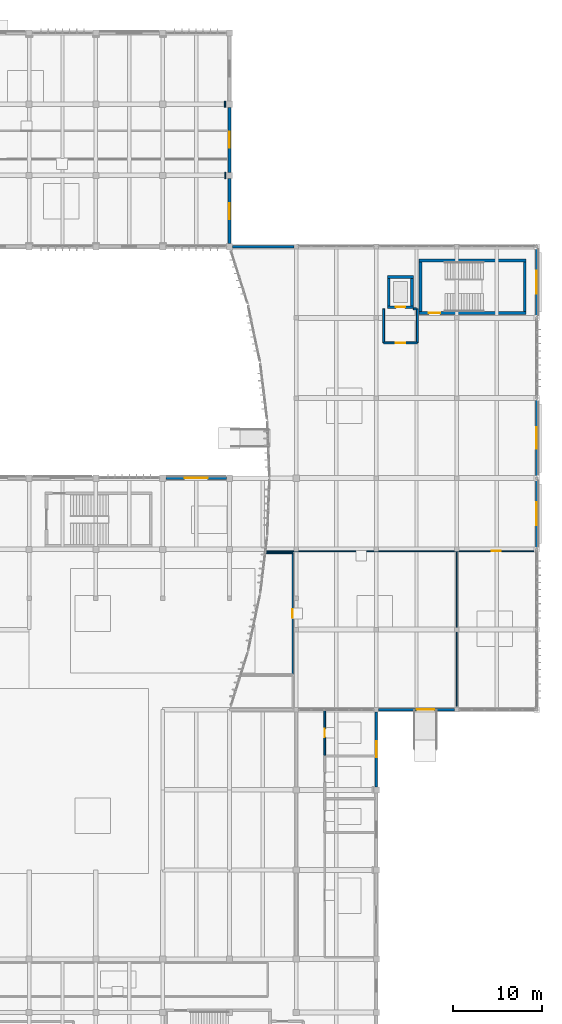
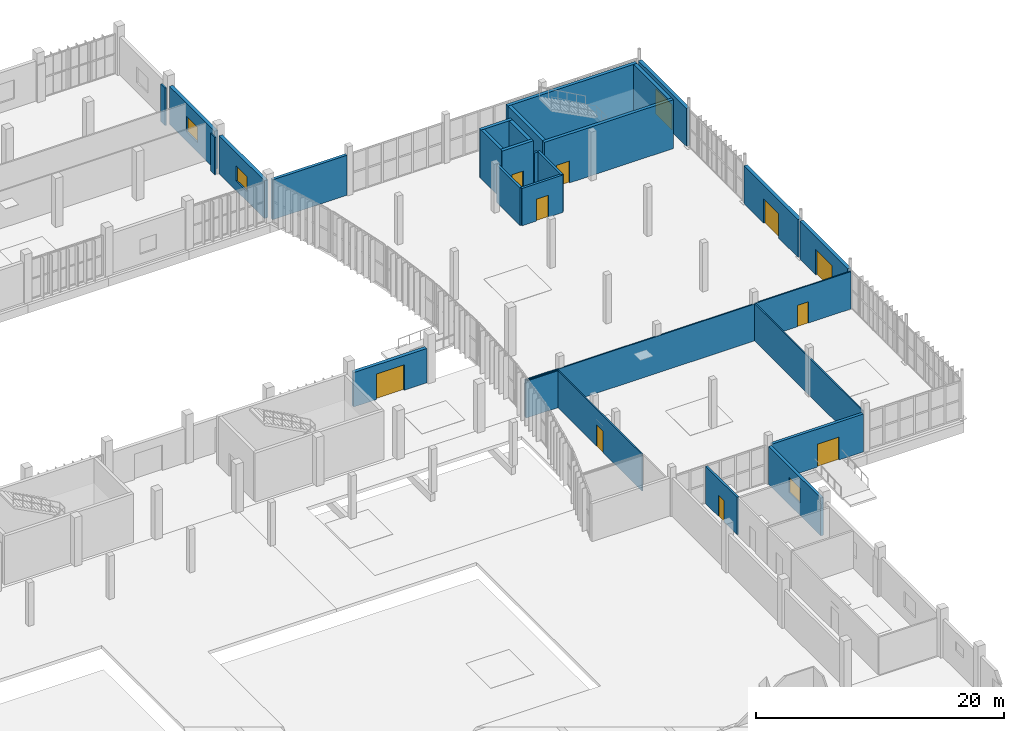
# One storey, part 51 of 72: 29 walls, 11 doors, 3 windows, 14 openings.
"""IFC4 building model written with IfcOpenShell, lengths in metres."""

from ifc_helpers import new_model, si_unit, direction, frame, frame_2d, origin, place, context, subcontext, project, spatial, rectangle, extrude, material, layer, layer_set, type_object, element, fill, save


model = new_model("IFC4")

# Units and contexts
model_context = context("Model", 3, precision=1e-05, world=origin(), true_north=direction((0.0, 1.0)))
body_context = subcontext(model_context, "Body", "Model", "MODEL_VIEW")
ifc_project = project(units=[si_unit("LENGTHUNIT", "METRE"), si_unit("AREAUNIT", "SQUARE_METRE"), si_unit("VOLUMEUNIT", "CUBIC_METRE"), si_unit("PLANEANGLEUNIT", "RADIAN"), si_unit("MASSUNIT", "GRAM", prefix="KILO")], contexts=[model_context])

# Site, building, storey
site_placement = place(None, origin())
site = spatial("IfcSite", under=ifc_project, at=site_placement, CompositionType="ELEMENT")
building_placement = place(site_placement, origin())
building = spatial("IfcBuilding", under=site, at=building_placement, Name="Vourika Railside Aquatics Centre", CompositionType="ELEMENT")
storey_placement = place(building_placement, origin())
storey = spatial("IfcBuildingStorey", under=building, at=storey_placement, Name="L00", CompositionType="ELEMENT", Elevation=0.0)

# Wall, opening, door
ifc_material_1 = material(Name="Concrete C40/50", Category="concrete")
ifc_layer_1 = layer(ifc_material_1, 0.300048828125, Name="WL-CORE")
ifc_layer_set_1 = layer_set([ifc_layer_1], Name="Concrete C40/50")
wall_type_1 = type_object("IfcWallType", Name="WL-CORE", PredefinedType="SHEAR", material=ifc_layer_set_1)
wall_1_placement = place(storey_placement, frame((154.800048828125, 84.550048828125, 0.0), z_axis=(0.0, 0.0, 1.0), x_axis=(1.0, 0.0, 0.0)))
wall_1 = element("IfcWall", 1, at=wall_1_placement, inside=storey, type_object=wall_type_1, Name="Protected Exit Stair Core ST05 South Wall (L00)", PredefinedType="SHEAR", context=body_context, shape_type="SweptSolid", body=[
    extrude(rectangle(XDim=12.0, YDim=0.300048828125, at=frame_2d((6.0, 0.0))), origin(), (0.0, 0.0, 1.0), 4.800048828125),
])
opening_1_placement = place(wall_1_placement, frame((1.10009765625, 0.0, 0.0)))
opening_1 = element("IfcOpeningElement", 2, at=opening_1_placement, cuts=wall_1, Name="Opening DF02", PredefinedType="OPENING", context=body_context, shape_type="SweptSolid", body=[
    extrude(rectangle(XDim=1.25, YDim=2.14990234375, at=frame_2d((0.625, 1.074951171875))), frame((0.0, 0.16015625, 0.0), z_axis=(0.0, -1.0, 0.0), x_axis=(1.0, 0.0, 0.0)), (0.0, 0.0, 1.0), 0.320068359375),
])
ifc_material_2 = material(Name="Fire-rated wide exit stair door")
door_type_1 = type_object("IfcDoorType", Name="DR-FD60-125", OperationType="NOTDEFINED", PredefinedType="DOOR", material=ifc_material_2)
door_1_placement = place(opening_1_placement, origin())
door_1 = element("IfcDoor", 3, at=door_1_placement, inside=storey, type_object=door_type_1, Name="Protected Exit Stair Core ST05 Enclosure Fire Door (L00)", OperationType="SINGLE_SWING_LEFT", OverallHeight=2.14990234375, OverallWidth=1.25, PredefinedType="DOOR", context=body_context, shape_type="SweptSolid", body=[
    extrude(rectangle(XDim=1.25, YDim=2.14990234375, at=frame_2d((0.625, 1.074951171875))), frame((0.0, 0.02490234375, 0.0), z_axis=(0.0, -1.0, 0.0), x_axis=(1.0, 0.0, 0.0)), (0.0, 0.0, 1.0), 0.050048828125),
])
fill(opening_1, door_1)

# Walls
wall_2_placement = place(storey_placement, frame((166.800048828125, 90.449951171875, 0.0), z_axis=(0.0, 0.0, 1.0), x_axis=(-1.0, 0.0, 0.0)))
element("IfcWall", 4, at=wall_2_placement, inside=storey, type_object=wall_type_1, Name="Protected Exit Stair Core ST05 North Wall (L00)", PredefinedType="SHEAR", context=body_context, shape_type="SweptSolid", body=[
    extrude(rectangle(XDim=12.0, YDim=0.300048828125, at=frame_2d((6.0, 0.0))), origin(), (0.0, 0.0, 1.0), 4.800048828125),
])
for number, where, z_axis, x_axis, name in (
    (5, (154.949951171875, 90.300048828125, 0.0), (0.0, 0.0, 1.0), (0.0, -1.0, 0.0), "Protected Exit Stair Core ST05 West Wall (L00)"),
    (6, (166.64990234375, 84.699951171875, 0.0), (0.0, 0.0, 1.0), (0.0, 1.0, 0.0), "Protected Exit Stair Core ST05 East Wall (L00)"),
):
    element("IfcWall", number, at=place(storey_placement, frame(where, z_axis=z_axis, x_axis=x_axis)), inside=storey, type_object=wall_type_1, Name=name, PredefinedType="SHEAR", context=body_context, shape_type="SweptSolid", body=[
        extrude(rectangle(XDim=5.60009765625, YDim=0.300048828125, at=frame_2d((2.800048828125, 0.0))), origin(), (0.0, 0.0, 1.0), 4.800048828125),
    ])

# Wall, opening, door
wall_3_placement = place(storey_placement, frame((151.25, 85.199951171875, 0.0), z_axis=(0.0, 0.0, 1.0), x_axis=(1.0, 0.0, 0.0)))
wall_3 = element("IfcWall", 7, at=wall_3_placement, inside=storey, type_object=wall_type_1, Name="Lift LP01 Shaft South Wall (L00)", PredefinedType="SHEAR", context=body_context, shape_type="SweptSolid", body=[
    extrude(rectangle(XDim=2.89990234375, YDim=0.300048828125, at=frame_2d((1.449951171875, 0.0))), origin(), (0.0, 0.0, 1.0), 4.800048828125),
])
opening_2_placement = place(wall_3_placement, frame((0.925048828125, 0.0, 0.0)))
opening_2 = element("IfcOpeningElement", 8, at=opening_2_placement, cuts=wall_3, Name="Opening LD02", PredefinedType="OPENING", context=body_context, shape_type="SweptSolid", body=[
    extrude(rectangle(XDim=1.050048828125, YDim=2.14990234375, at=frame_2d((0.52490234375, 1.074951171875))), frame((0.0, 0.16015625, 0.0), z_axis=(0.0, -1.0, 0.0), x_axis=(1.0, 0.0, 0.0)), (0.0, 0.0, 1.0), 0.320068359375),
])
ifc_material_3 = material(Name="Stainless passenger lift landing door")
door_type_2 = type_object("IfcDoorType", Name="DR-LIFT-LD2", OperationType="DOUBLE_DOOR_SLIDING", PredefinedType="DOOR", material=ifc_material_3)
door_2_placement = place(opening_2_placement, origin())
door_2 = element("IfcDoor", 9, at=door_2_placement, inside=storey, type_object=door_type_2, Name="Lift LP01 Sliding Landing Door (L00)", OperationType="DOUBLE_DOOR_SLIDING", OverallHeight=2.14990234375, OverallWidth=1.050048828125, PredefinedType="DOOR", context=body_context, shape_type="SweptSolid", body=[
    extrude(rectangle(XDim=1.050048828125, YDim=2.14990234375, at=frame_2d((0.52490234375, 1.074951171875))), frame((0.0, 0.02490234375, 0.0), z_axis=(0.0, -1.0, 0.0), x_axis=(1.0, 0.0, 0.0)), (0.0, 0.0, 1.0), 0.050048828125),
])
fill(opening_2, door_2)

# Walls
wall_4_placement = place(storey_placement, frame((154.14990234375, 88.60009765625, 0.0), z_axis=(0.0, 0.0, 1.0), x_axis=(-1.0, 0.0, 0.0)))
element("IfcWall", 10, at=wall_4_placement, inside=storey, type_object=wall_type_1, Name="Lift LP01 Shaft North Wall (L00)", PredefinedType="SHEAR", context=body_context, shape_type="SweptSolid", body=[
    extrude(rectangle(XDim=2.89990234375, YDim=0.300048828125, at=frame_2d((1.449951171875, 0.0))), origin(), (0.0, 0.0, 1.0), 4.800048828125),
])
for number, where, z_axis, x_axis, name in (
    (11, (151.39990234375, 88.60009765625, 0.0), (0.0, 0.0, 1.0), (0.0, -1.0, 0.0), "Lift LP01 Shaft West Wall (L00)"),
    (12, (154.0, 85.199951171875, 0.0), (0.0, 0.0, 1.0), (0.0, 1.0, 0.0), "Lift LP01 Shaft East Wall (L00)"),
):
    element("IfcWall", number, at=place(storey_placement, frame(where, z_axis=z_axis, x_axis=x_axis)), inside=storey, type_object=wall_type_1, Name=name, PredefinedType="SHEAR", context=body_context, shape_type="SweptSolid", body=[
        extrude(rectangle(XDim=3.400146484375, YDim=0.300048828125, at=frame_2d((1.7001953125, 0.0))), origin(), (0.0, 0.0, 1.0), 4.800048828125),
    ])
ifc_material_4 = material(Name="Precast concrete C40/50", Category="concrete")
ifc_layer_2 = layer(ifc_material_4, 0.27001953125, Name="WL-EXT-270")
ifc_layer_set_2 = layer_set([ifc_layer_2], Name="Precast concrete C40/50")
wall_type_2 = type_object("IfcWallType", Name="WL-EXT-270", PredefinedType="SOLIDWALL", material=ifc_layer_set_2)
wall_5_placement = place(storey_placement, frame((140.75, 92.0, 0.0), z_axis=(0.0, 0.0, 1.0), x_axis=(-1.0, 0.0, 0.0)))
element("IfcWall", 13, at=wall_5_placement, inside=storey, type_object=wall_type_2, Name="Foyer North Return Wall L00", PredefinedType="SOLIDWALL", context=body_context, shape_type="SweptSolid", body=[
    extrude(rectangle(XDim=6.89990234375, YDim=0.27001953125, at=frame_2d((3.449951171875, 0.0))), origin(), (0.0, 0.0, 1.0), 3.929931640625),
])

# Wall, opening, door
wall_6_placement = place(storey_placement, frame((150.25, 40.0, 0.0), z_axis=(0.0, 0.0, 1.0), x_axis=(1.0, 0.0, 0.0)))
wall_6 = element("IfcWall", 14, at=wall_6_placement, inside=storey, type_object=wall_type_2, Name="Foyer South Forecourt Entrance Wall", PredefinedType="SOLIDWALL", context=body_context, shape_type="SweptSolid", body=[
    extrude(rectangle(XDim=8.5, YDim=0.27001953125, at=frame_2d((4.25, 0.0))), origin(), (0.0, 0.0, 1.0), 3.72998046875),
])
opening_3_placement = place(wall_6_placement, frame((4.25, 0.0, 0.0)))
opening_3 = element("IfcOpeningElement", 15, at=opening_3_placement, cuts=wall_6, Name="Opening DE04", PredefinedType="OPENING", context=body_context, shape_type="SweptSolid", body=[
    extrude(rectangle(XDim=2.0, YDim=2.25, at=frame_2d((1.0, 1.125))), frame((0.0, 0.14501953125, 0.0), z_axis=(0.0, -1.0, 0.0), x_axis=(1.0, 0.0, 0.0)), (0.0, 0.0, 1.0), 0.2900390625),
])
ifc_material_5 = material(Name="Anodized aluminium", Category="aluminium")
door_type_3 = type_object("IfcDoorType", Name="DR-EXT-DBL200", OperationType="DOUBLE_DOOR_SINGLE_SWING", PredefinedType="DOOR", material=ifc_material_5)
door_3_placement = place(opening_3_placement, frame((2.0, 0.0, 0.0), z_axis=(0.0, 0.0, 1.0), x_axis=(-1.0, 0.0, 0.0)))
door_3 = element("IfcDoor", 16, at=door_3_placement, inside=storey, type_object=door_type_3, Name="Forecourt Accessible Entrance Door (AR1)", OperationType="DOUBLE_DOOR_SINGLE_SWING", OverallHeight=2.25, OverallWidth=2.0, PredefinedType="DOOR", context=body_context, shape_type="SweptSolid", body=[
    extrude(rectangle(XDim=2.0, YDim=2.25, at=frame_2d((1.0, 1.125))), frame((0.0, 0.02490234375, 0.0), z_axis=(0.0, -1.0, 0.0), x_axis=(1.0, 0.0, 0.0)), (0.0, 0.0, 1.0), 0.050048828125),
])
fill(opening_3, door_3)

# Wall, opening, window
wall_7_placement = place(storey_placement, frame((150.0, 31.35009765625, 0.0), z_axis=(0.0, 0.0, 1.0), x_axis=(0.0, 1.0, 0.0)))
wall_7 = element("IfcWall", 17, at=wall_7_placement, inside=storey, type_object=wall_type_2, Name="Changing East Precast Wall L00-5", PredefinedType="SOLIDWALL", context=body_context, shape_type="SweptSolid", body=[
    extrude(rectangle(XDim=8.39990234375, YDim=0.27001953125, at=frame_2d((4.199951171875, 0.0))), origin(), (0.0, 0.0, 1.0), 3.72998046875),
])
opening_4_placement = place(wall_7_placement, frame((3.300048828125, 0.0, 1.199951171875)))
opening_4 = element("IfcOpeningElement", 18, at=opening_4_placement, cuts=wall_7, Name="Opening W08", PredefinedType="OPENING", context=body_context, shape_type="SweptSolid", body=[
    extrude(rectangle(XDim=1.800048828125, YDim=1.5, at=frame_2d((0.89990234375, 0.75))), frame((0.0, 0.14501953125, 0.0), z_axis=(0.0, -1.0, 0.0), x_axis=(1.0, 0.0, 0.0)), (0.0, 0.0, 1.0), 0.2900390625),
])
ifc_material_6 = material(Name="Laminated solar-control glass", Category="glass")
window_type = type_object("IfcWindowType", Name="WN-CLN-180x150", PartitioningType="SINGLE_PANEL", PredefinedType="WINDOW", material=ifc_material_6)
window_1_placement = place(opening_4_placement, origin())
window_1 = element("IfcWindow", 19, at=window_1_placement, inside=storey, type_object=window_type, Name="Changing East Clerestory Window L00-5", OverallHeight=1.5, OverallWidth=1.800048828125, PartitioningType="SINGLE_PANEL", PredefinedType="WINDOW", context=body_context, shape_type="SweptSolid", body=[
    extrude(rectangle(XDim=1.800048828125, YDim=1.5, at=frame_2d((0.89990234375, 0.75))), frame((0.0, 0.030029296875, 0.0), z_axis=(0.0, -1.0, 0.0), x_axis=(1.0, 0.0, 0.0)), (0.0, 0.0, 1.0), 0.06005859375),
])
fill(opening_4, window_1)

# Wall, opening, door
ifc_layer_3 = layer(ifc_material_4, 0.320068359375, Name="WL-EXT-320")
ifc_layer_set_3 = layer_set([ifc_layer_3], Name="Precast concrete C40/50")
wall_type_3 = type_object("IfcWallType", Name="WL-EXT-320", PredefinedType="SOLIDWALL", material=ifc_layer_set_3)
wall_8_placement = place(storey_placement, frame((133.14990234375, 66.0, 0.0), z_axis=(0.0, 0.0, 1.0), x_axis=(-1.0, 0.0, 0.0)))
wall_8 = element("IfcWall", 20, at=wall_8_placement, inside=storey, type_object=wall_type_3, Name="North Concourse Exit Wall Bay 13", PredefinedType="SOLIDWALL", context=body_context, shape_type="SweptSolid", body=[
    extrude(rectangle(XDim=6.7998046875, YDim=0.320068359375, at=frame_2d((3.39990234375, 0.0))), origin(), (0.0, 0.0, 1.0), 3.3798828125),
])
opening_5_placement = place(wall_8_placement, frame((2.10009765625, 0.0, 0.0)))
opening_5 = element("IfcOpeningElement", 21, at=opening_5_placement, cuts=wall_8, Name="Opening DE01", PredefinedType="OPENING", context=body_context, shape_type="SweptSolid", body=[
    extrude(rectangle(XDim=2.60009765625, YDim=2.5, at=frame_2d((1.300048828125, 1.25))), frame((0.0, 0.169921875, 0.0), z_axis=(0.0, -1.0, 0.0), x_axis=(1.0, 0.0, 0.0)), (0.0, 0.0, 1.0), 0.340087890625),
])
door_type_4 = type_object("IfcDoorType", Name="DR-EXT-DBL260", OperationType="DOUBLE_DOOR_SINGLE_SWING", PredefinedType="DOOR", material=ifc_material_5)
door_4_placement = place(opening_5_placement, frame((2.60009765625, 0.0, 0.0), z_axis=(0.0, 0.0, 1.0), x_axis=(-1.0, 0.0, 0.0)))
door_4 = element("IfcDoor", 22, at=door_4_placement, inside=storey, type_object=door_type_4, Name="Courtyard Vomitory Exit Door (EX-N04)", OperationType="DOUBLE_DOOR_SINGLE_SWING", OverallHeight=2.5, OverallWidth=2.60009765625, PredefinedType="DOOR", context=body_context, shape_type="SweptSolid", body=[
    extrude(rectangle(XDim=2.60009765625, YDim=2.5, at=frame_2d((1.300048828125, 1.25))), frame((0.0, 0.02490234375, 0.0), z_axis=(0.0, -1.0, 0.0), x_axis=(1.0, 0.0, 0.0)), (0.0, 0.0, 1.0), 0.050048828125),
])
fill(opening_5, door_4)

wall_9_placement = place(storey_placement, frame((168.0, 58.136474609375, 0.0), z_axis=(0.0, 0.0, 1.0), x_axis=(0.0, 1.0, 0.0)))
wall_9 = element("IfcWall", 23, at=wall_9_placement, inside=storey, type_object=wall_type_3, Name="Civic Foyer East Arrival Portal 3", PredefinedType="SOLIDWALL", context=body_context, shape_type="SweptSolid", body=[
    extrude(rectangle(XDim=7.72705078125, YDim=0.320068359375, at=frame_2d((3.863525390625, 0.0))), origin(), (0.0, 0.0, 1.0), 3.72998046875),
])
opening_6_placement = place(wall_9_placement, frame((2.56396484375, 0.0, 0.0)))
opening_6 = element("IfcOpeningElement", 24, at=opening_6_placement, cuts=wall_9, Name="Opening DE01", PredefinedType="OPENING", context=body_context, shape_type="SweptSolid", body=[
    extrude(rectangle(XDim=2.60009765625, YDim=2.5, at=frame_2d((1.300048828125, 1.25))), frame((0.0, 0.169921875, 0.0), z_axis=(0.0, -1.0, 0.0), x_axis=(1.0, 0.0, 0.0)), (0.0, 0.0, 1.0), 0.340087890625),
])
door_5_placement = place(opening_6_placement, frame((2.60009765625, 0.0, 0.0), z_axis=(0.0, 0.0, 1.0), x_axis=(-1.0, 0.0, 0.0)))
door_5 = element("IfcDoor", 25, at=door_5_placement, inside=storey, type_object=door_type_4, Name="Civic Arrival Plaza Entrance Door 3", OperationType="DOUBLE_DOOR_SINGLE_SWING", OverallHeight=2.5, OverallWidth=2.60009765625, PredefinedType="DOOR", context=body_context, shape_type="SweptSolid", body=[
    extrude(rectangle(XDim=2.60009765625, YDim=2.5, at=frame_2d((1.300048828125, 1.25))), frame((0.0, 0.02490234375, 0.0), z_axis=(0.0, -1.0, 0.0), x_axis=(1.0, 0.0, 0.0)), (0.0, 0.0, 1.0), 0.050048828125),
])
fill(opening_6, door_5)

wall_10_placement = place(storey_placement, frame((168.0, 66.136474609375, 0.0), z_axis=(0.0, 0.0, 1.0), x_axis=(0.0, 1.0, 0.0)))
wall_10 = element("IfcWall", 26, at=wall_10_placement, inside=storey, type_object=wall_type_3, Name="Civic Foyer East Arrival Portal 4", PredefinedType="SOLIDWALL", context=body_context, shape_type="SweptSolid", body=[
    extrude(rectangle(XDim=8.72705078125, YDim=0.320068359375, at=frame_2d((4.363525390625, 0.0))), origin(), (0.0, 0.0, 1.0), 3.72998046875),
])
opening_7_placement = place(wall_10_placement, frame((3.1640625, 0.0, 0.0)))
opening_7 = element("IfcOpeningElement", 27, at=opening_7_placement, cuts=wall_10, Name="Opening DE02", PredefinedType="OPENING", context=body_context, shape_type="SweptSolid", body=[
    extrude(rectangle(XDim=2.39990234375, YDim=2.39990234375, at=frame_2d((1.199951171875, 1.199951171875))), frame((0.0, 0.169921875, 0.0), z_axis=(0.0, -1.0, 0.0), x_axis=(1.0, 0.0, 0.0)), (0.0, 0.0, 1.0), 0.340087890625),
])
door_type_5 = type_object("IfcDoorType", Name="DR-EXT-DBL240", OperationType="DOUBLE_DOOR_SINGLE_SWING", PredefinedType="DOOR", material=ifc_material_5)
door_6_placement = place(opening_7_placement, frame((2.39990234375, 0.0, 0.0), z_axis=(0.0, 0.0, 1.0), x_axis=(-1.0, 0.0, 0.0)))
door_6 = element("IfcDoor", 28, at=door_6_placement, inside=storey, type_object=door_type_5, Name="Civic Arrival Plaza Entrance Door 4", OperationType="DOUBLE_DOOR_SINGLE_SWING", OverallHeight=2.39990234375, OverallWidth=2.39990234375, PredefinedType="DOOR", context=body_context, shape_type="SweptSolid", body=[
    extrude(rectangle(XDim=2.39990234375, YDim=2.39990234375, at=frame_2d((1.199951171875, 1.199951171875))), frame((0.0, 0.02490234375, 0.0), z_axis=(0.0, -1.0, 0.0), x_axis=(1.0, 0.0, 0.0)), (0.0, 0.0, 1.0), 0.050048828125),
])
fill(opening_7, door_6)

wall_11_placement = place(storey_placement, frame((168.0, 84.136474609375, 0.0), z_axis=(0.0, 0.0, 1.0), x_axis=(0.0, 1.0, 0.0)))
wall_11 = element("IfcWall", 29, at=wall_11_placement, inside=storey, type_object=wall_type_3, Name="Civic Foyer East Arrival Portal 6", PredefinedType="SOLIDWALL", context=body_context, shape_type="SweptSolid", body=[
    extrude(rectangle(XDim=7.72705078125, YDim=0.320068359375, at=frame_2d((3.863525390625, 0.0))), origin(), (0.0, 0.0, 1.0), 3.72998046875),
])
opening_8_placement = place(wall_11_placement, frame((2.56396484375, 0.0, 0.0)))
opening_8 = element("IfcOpeningElement", 30, at=opening_8_placement, cuts=wall_11, Name="Opening DE01", PredefinedType="OPENING", context=body_context, shape_type="SweptSolid", body=[
    extrude(rectangle(XDim=2.60009765625, YDim=2.5, at=frame_2d((1.300048828125, 1.25))), frame((0.0, 0.169921875, 0.0), z_axis=(0.0, -1.0, 0.0), x_axis=(1.0, 0.0, 0.0)), (0.0, 0.0, 1.0), 0.340087890625),
])
door_7_placement = place(opening_8_placement, frame((2.60009765625, 0.0, 0.0), z_axis=(0.0, 0.0, 1.0), x_axis=(-1.0, 0.0, 0.0)))
door_7 = element("IfcDoor", 31, at=door_7_placement, inside=storey, type_object=door_type_4, Name="Civic Arrival Plaza Entrance Door 6", OperationType="DOUBLE_DOOR_SINGLE_SWING", OverallHeight=2.5, OverallWidth=2.60009765625, PredefinedType="DOOR", context=body_context, shape_type="SweptSolid", body=[
    extrude(rectangle(XDim=2.60009765625, YDim=2.5, at=frame_2d((1.300048828125, 1.25))), frame((0.0, 0.02490234375, 0.0), z_axis=(0.0, -1.0, 0.0), x_axis=(1.0, 0.0, 0.0)), (0.0, 0.0, 1.0), 0.050048828125),
])
fill(opening_8, door_7)

# Wall, opening, window
wall_12_placement = place(storey_placement, frame((133.5, 92.35009765625, 0.0), z_axis=(0.0, 0.0, 1.0), x_axis=(0.0, 1.0, 0.0)))
wall_12 = element("IfcWall", 32, at=wall_12_placement, inside=storey, type_object=wall_type_3, Name="Fitness Step-Back East Wall L00-1", PredefinedType="SOLIDWALL", context=body_context, shape_type="SweptSolid", body=[
    extrude(rectangle(XDim=7.2998046875, YDim=0.320068359375, at=frame_2d((3.64990234375, 0.0))), origin(), (0.0, 0.0, 1.0), 3.72998046875),
])
opening_9_placement = place(wall_12_placement, frame((2.75, 0.0, 0.949951171875)))
opening_9 = element("IfcOpeningElement", 33, at=opening_9_placement, cuts=wall_12, Name="Opening W08", PredefinedType="OPENING", context=body_context, shape_type="SweptSolid", body=[
    extrude(rectangle(XDim=1.800048828125, YDim=1.5, at=frame_2d((0.89990234375, 0.75))), frame((0.0, 0.169921875, 0.0), z_axis=(0.0, -1.0, 0.0), x_axis=(1.0, 0.0, 0.0)), (0.0, 0.0, 1.0), 0.340087890625),
])
window_2_placement = place(opening_9_placement, origin())
window_2 = element("IfcWindow", 34, at=window_2_placement, inside=storey, type_object=window_type, Name="Fitness East Window L00-1", OverallHeight=1.5, OverallWidth=1.800048828125, PartitioningType="SINGLE_PANEL", PredefinedType="WINDOW", context=body_context, shape_type="SweptSolid", body=[
    extrude(rectangle(XDim=1.800048828125, YDim=1.5, at=frame_2d((0.89990234375, 0.75))), frame((0.0, 0.030029296875, 0.0), z_axis=(0.0, -1.0, 0.0), x_axis=(1.0, 0.0, 0.0)), (0.0, 0.0, 1.0), 0.06005859375),
])
fill(opening_9, window_2)

wall_13_placement = place(storey_placement, frame((133.5, 100.35009765625, 0.0), z_axis=(0.0, 0.0, 1.0), x_axis=(0.0, 1.0, 0.0)))
wall_13 = element("IfcWall", 35, at=wall_13_placement, inside=storey, type_object=wall_type_3, Name="Fitness Step-Back East Wall L00-2", PredefinedType="SOLIDWALL", context=body_context, shape_type="SweptSolid", body=[
    extrude(rectangle(XDim=7.2998046875, YDim=0.320068359375, at=frame_2d((3.64990234375, 0.0))), origin(), (0.0, 0.0, 1.0), 3.72998046875),
])
opening_10_placement = place(wall_13_placement, frame((2.75, 0.0, 0.949951171875)))
opening_10 = element("IfcOpeningElement", 36, at=opening_10_placement, cuts=wall_13, Name="Opening W08", PredefinedType="OPENING", context=body_context, shape_type="SweptSolid", body=[
    extrude(rectangle(XDim=1.800048828125, YDim=1.5, at=frame_2d((0.89990234375, 0.75))), frame((0.0, 0.169921875, 0.0), z_axis=(0.0, -1.0, 0.0), x_axis=(1.0, 0.0, 0.0)), (0.0, 0.0, 1.0), 0.340087890625),
])
window_3_placement = place(opening_10_placement, origin())
window_3 = element("IfcWindow", 37, at=window_3_placement, inside=storey, type_object=window_type, Name="Fitness East Window L00-2", OverallHeight=1.5, OverallWidth=1.800048828125, PartitioningType="SINGLE_PANEL", PredefinedType="WINDOW", context=body_context, shape_type="SweptSolid", body=[
    extrude(rectangle(XDim=1.800048828125, YDim=1.5, at=frame_2d((0.89990234375, 0.75))), frame((0.0, 0.030029296875, 0.0), z_axis=(0.0, -1.0, 0.0), x_axis=(1.0, 0.0, 0.0)), (0.0, 0.0, 1.0), 0.06005859375),
])
fill(opening_10, window_3)

# Wall, opening, door
ifc_material_7 = material(Name="Concrete C35/45", Category="concrete")
ifc_layer_4 = layer(ifc_material_7, 0.219970703125, Name="WL-FIRE")
ifc_layer_set_4 = layer_set([ifc_layer_4], Name="Concrete C35/45")
wall_type_4 = type_object("IfcWallType", Name="WL-FIRE", PredefinedType="SOLIDWALL", material=ifc_layer_set_4)
wall_14_placement = place(storey_placement, frame((150.800048828125, 81.199951171875, 0.0), z_axis=(0.0, 0.0, 1.0), x_axis=(1.0, 0.0, 0.0)))
wall_14 = element("IfcWall", 38, at=wall_14_placement, inside=storey, type_object=wall_type_4, Name="Lift LP01 Lobby Corridor Fire Wall (L00)", PredefinedType="SOLIDWALL", context=body_context, shape_type="SweptSolid", body=[
    extrude(rectangle(XDim=3.800048828125, YDim=0.219970703125, at=frame_2d((1.89990234375, 0.0))), origin(), (0.0, 0.0, 1.0), 3.679931640625),
])
opening_11_placement = place(wall_14_placement, frame((1.35009765625, 0.0, 0.0)))
opening_11 = element("IfcOpeningElement", 39, at=opening_11_placement, cuts=wall_14, Name="Opening DF01", PredefinedType="OPENING", context=body_context, shape_type="SweptSolid", body=[
    extrude(rectangle(XDim=1.10009765625, YDim=2.14990234375, at=frame_2d((0.550048828125, 1.074951171875))), frame((0.0, 0.1201171875, 0.0), z_axis=(0.0, -1.0, 0.0), x_axis=(1.0, 0.0, 0.0)), (0.0, 0.0, 1.0), 0.239990234375),
])
ifc_material_8 = material(Name="Fire-rated steel and timber core door", Category="steel")
door_type_6 = type_object("IfcDoorType", Name="DR-FD60", OperationType="NOTDEFINED", PredefinedType="DOOR", material=ifc_material_8)
door_8_placement = place(opening_11_placement, origin())
door_8 = element("IfcDoor", 40, at=door_8_placement, inside=storey, type_object=door_type_6, Name="Lift LP01 Lobby Fire Door (L00)", OperationType="SINGLE_SWING_LEFT", OverallHeight=2.14990234375, OverallWidth=1.10009765625, PredefinedType="DOOR", context=body_context, shape_type="SweptSolid", body=[
    extrude(rectangle(XDim=1.10009765625, YDim=2.14990234375, at=frame_2d((0.550048828125, 1.074951171875))), frame((0.0, 0.02490234375, 0.0), z_axis=(0.0, -1.0, 0.0), x_axis=(1.0, 0.0, 0.0)), (0.0, 0.0, 1.0), 0.050048828125),
])
fill(opening_11, door_8)

# Walls
for number, where, z_axis, x_axis, name in (
    (41, (150.800048828125, 81.199951171875, 0.0), (0.0, 0.0, 1.0), (0.0, 1.0, 0.0), "Lift LP01 Lobby West Fire Wall (L00)"),
    (42, (154.60009765625, 81.199951171875, 0.0), (0.0, 0.0, 1.0), (0.0, 1.0, 0.0), "Lift LP01 Lobby East Fire Wall (L00)"),
):
    element("IfcWall", number, at=place(storey_placement, frame(where, z_axis=z_axis, x_axis=x_axis)), inside=storey, type_object=wall_type_4, Name=name, PredefinedType="SOLIDWALL", context=body_context, shape_type="SweptSolid", body=[
        extrude(rectangle(XDim=3.800048828125, YDim=0.219970703125, at=frame_2d((1.89990234375, 0.0))), origin(), (0.0, 0.0, 1.0), 3.679931640625),
    ])
wall_15_placement = place(storey_placement, frame((154.14990234375, 85.0, 0.0), z_axis=(0.0, 0.0, 1.0), x_axis=(1.0, 0.0, 0.0)))
element("IfcWall", 43, at=wall_15_placement, inside=storey, type_object=wall_type_4, Name="Lift LP01 Lobby North-East Closure Wall (L00)", PredefinedType="SOLIDWALL", context=body_context, shape_type="SweptSolid", body=[
    extrude(rectangle(XDim=0.330078125, YDim=0.219970703125, at=frame_2d((0.1650390625, 0.0))), origin(), (0.0, 0.0, 1.0), 3.679931640625),
])

# Wall, opening, door
ifc_material_9 = material(Name="Lightweight drylining partition")
ifc_layer_5 = layer(ifc_material_9, 0.1201171875, Name="WL-PART-120")
ifc_layer_set_5 = layer_set([ifc_layer_5], Name="Lightweight drylining partition")
wall_type_5 = type_object("IfcWallType", Name="WL-PART-120", PredefinedType="PARTITIONING", material=ifc_layer_set_5)
wall_16_placement = place(storey_placement, frame((140.60009765625, 44.0, 0.0), z_axis=(0.0, 0.0, 1.0), x_axis=(0.0, 1.0, 0.0)))
wall_16 = element("IfcWall", 44, at=wall_16_placement, inside=storey, type_object=wall_type_5, Name="Waterside Monsoon Courtyard Cafe Partition 1", PredefinedType="PARTITIONING", context=body_context, shape_type="SweptSolid", body=[
    extrude(rectangle(XDim=13.60009765625, YDim=0.1201171875, at=frame_2d((6.800048828125, 0.0))), origin(), (0.0, 0.0, 1.0), 3.625),
])
opening_12_placement = place(wall_16_placement, frame((6.300048828125, 0.0, 0.0)))
opening_12 = element("IfcOpeningElement", 45, at=opening_12_placement, cuts=wall_16, Name="Opening DI01", PredefinedType="OPENING", context=body_context, shape_type="SweptSolid", body=[
    extrude(rectangle(XDim=1.0, YDim=2.10009765625, at=frame_2d((0.5, 1.050048828125))), frame((0.0, 0.070068359375, 0.0), z_axis=(0.0, -1.0, 0.0), x_axis=(1.0, 0.0, 0.0)), (0.0, 0.0, 1.0), 0.14013671875),
])
ifc_material_10 = material(Name="Anodized aluminium and laminate door", Category="aluminium")
door_type_7 = type_object("IfcDoorType", Name="DR-INT-1000", OperationType="NOTDEFINED", PredefinedType="DOOR", material=ifc_material_10)
door_9_placement = place(opening_12_placement, origin())
door_9 = element("IfcDoor", 46, at=door_9_placement, inside=storey, type_object=door_type_7, Name="Waterside Monsoon Courtyard Cafe Door", OperationType="SINGLE_SWING_LEFT", OverallHeight=2.10009765625, OverallWidth=1.0, PredefinedType="DOOR", context=body_context, shape_type="SweptSolid", body=[
    extrude(rectangle(XDim=1.0, YDim=2.10009765625, at=frame_2d((0.5, 1.050048828125))), frame((0.0, 0.02490234375, 0.0), z_axis=(0.0, -1.0, 0.0), x_axis=(1.0, 0.0, 0.0)), (0.0, 0.0, 1.0), 0.050048828125),
])
fill(opening_12, door_9)

# Walls
wall_17_placement = place(storey_placement, frame((140.60009765625, 57.60009765625, 0.0), z_axis=(0.0, 0.0, 1.0), x_axis=(-1.0, 0.0, 0.0)))
element("IfcWall", 47, at=wall_17_placement, inside=storey, type_object=wall_type_5, Name="Waterside Monsoon Courtyard Cafe Partition 5", PredefinedType="PARTITIONING", context=body_context, shape_type="SweptSolid", body=[
    extrude(rectangle(XDim=3.0087890625, YDim=0.1201171875, at=frame_2d((1.50439453125, 0.0))), origin(), (0.0, 0.0, 1.0), 3.625),
])
wall_18_placement = place(storey_placement, frame((137.615478515625, 57.800048828125, 0.0), z_axis=(0.0, 0.0, 1.0), x_axis=(1.0, 0.0, 0.0)))
element("IfcWall", 48, at=wall_18_placement, inside=storey, type_object=wall_type_5, Name="Waterside Monsoon Courtyard Cafe Partition 6", PredefinedType="PARTITIONING", context=body_context, shape_type="SweptSolid", body=[
    extrude(rectangle(XDim=21.384521484375, YDim=0.1201171875, at=frame_2d((10.6923828125, 0.0))), origin(), (0.0, 0.0, 1.0), 3.625),
])
wall_19_placement = place(storey_placement, frame((159.0, 57.800048828125, 0.0), z_axis=(0.0, 0.0, 1.0), x_axis=(0.0, -1.0, 0.0)))
element("IfcWall", 49, at=wall_19_placement, inside=storey, type_object=wall_type_5, Name="Waterside Monsoon Courtyard Cafe Partition 7", PredefinedType="PARTITIONING", context=body_context, shape_type="SweptSolid", body=[
    extrude(rectangle(XDim=17.400146484375, YDim=0.1201171875, at=frame_2d((8.7001953125, 0.0))), origin(), (0.0, 0.0, 1.0), 3.679931640625),
])

# Wall, opening, door
wall_20_placement = place(storey_placement, frame((159.0, 57.800048828125, 0.0), z_axis=(0.0, 0.0, 1.0), x_axis=(1.0, 0.0, 0.0)))
wall_20 = element("IfcWall", 50, at=wall_20_placement, inside=storey, type_object=wall_type_5, Name="Aquatics Swimwear and Gear Shop Partition 2", PredefinedType="PARTITIONING", context=body_context, shape_type="SweptSolid", body=[
    extrude(rectangle(XDim=8.919921875, YDim=0.1201171875, at=frame_2d((4.4599609375, 0.0))), origin(), (0.0, 0.0, 1.0), 3.679931640625),
])
opening_13_placement = place(wall_20_placement, frame((3.9599609375, 0.0, 0.0)))
opening_13 = element("IfcOpeningElement", 51, at=opening_13_placement, cuts=wall_20, Name="Opening DI01", PredefinedType="OPENING", context=body_context, shape_type="SweptSolid", body=[
    extrude(rectangle(XDim=1.0, YDim=2.10009765625, at=frame_2d((0.5, 1.050048828125))), frame((0.0, 0.070068359375, 0.0), z_axis=(0.0, -1.0, 0.0), x_axis=(1.0, 0.0, 0.0)), (0.0, 0.0, 1.0), 0.14013671875),
])
door_10_placement = place(opening_13_placement, origin())
door_10 = element("IfcDoor", 52, at=door_10_placement, inside=storey, type_object=door_type_7, Name="Aquatics Swimwear and Gear Shop Door", OperationType="SINGLE_SWING_RIGHT", OverallHeight=2.10009765625, OverallWidth=1.0, PredefinedType="DOOR", context=body_context, shape_type="SweptSolid", body=[
    extrude(rectangle(XDim=1.0, YDim=2.10009765625, at=frame_2d((0.5, 1.050048828125))), frame((0.0, 0.02490234375, 0.0), z_axis=(0.0, -1.0, 0.0), x_axis=(1.0, 0.0, 0.0)), (0.0, 0.0, 1.0), 0.050048828125),
])
fill(opening_13, door_10)

# Walls
wall_21_placement = place(storey_placement, frame((133.0, 100.35009765625, 0.0), z_axis=(0.0, 0.0, 1.0), x_axis=(0.0, -1.0, 0.0)))
element("IfcWall", 53, at=wall_21_placement, inside=storey, type_object=wall_type_5, Name="Diagnostic Imaging and Triage Suite Partition 2", PredefinedType="PARTITIONING", context=body_context, shape_type="SweptSolid", body=[
    extrude(rectangle(XDim=0.7001953125, YDim=0.1201171875, at=frame_2d((0.35009765625, 0.0))), origin(), (0.0, 0.0, 1.0), 3.679931640625),
])
ifc_material_11 = material(Name="Clinical hygienic partition")
ifc_layer_6 = layer(ifc_material_11, 0.139892578125, Name="WL-PART-140")
ifc_layer_set_6 = layer_set([ifc_layer_6], Name="Clinical hygienic partition")
wall_type_6 = type_object("IfcWallType", Name="WL-PART-140", PredefinedType="PARTITIONING", material=ifc_layer_set_6)
wall_22_placement = place(storey_placement, frame((133.0, 108.35009765625, 0.0), z_axis=(0.0, 0.0, 1.0), x_axis=(0.0, -1.0, 0.0)))
element("IfcWall", 54, at=wall_22_placement, inside=storey, type_object=wall_type_6, Name="Rehabilitation Physiotherapy Lounge Partition 2", PredefinedType="PARTITIONING", context=body_context, shape_type="SweptSolid", body=[
    extrude(rectangle(XDim=0.7001953125, YDim=0.139892578125, at=frame_2d((0.35009765625, 0.0))), origin(), (0.0, 0.0, 1.0), 3.679931640625),
])

# Wall, opening, door
ifc_material_12 = material(Name="Moisture-resistant wet-village blockwork", Category="masonry")
ifc_layer_7 = layer(ifc_material_12, 0.179931640625, Name="WL-PART-180")
ifc_layer_set_7 = layer_set([ifc_layer_7], Name="Moisture-resistant wet-village blockwork")
wall_type_7 = type_object("IfcWallType", Name="WL-PART-180", PredefinedType="PARTITIONING", material=ifc_layer_set_7)
wall_23_placement = place(storey_placement, frame((144.199951171875, 34.8701171875, 0.0), z_axis=(0.0, 0.0, 1.0), x_axis=(0.0, 1.0, 0.0)))
wall_23 = element("IfcWall", 55, at=wall_23_placement, inside=storey, type_object=wall_type_7, Name="Concourse Public Female WC Partition 1", PredefinedType="PARTITIONING", context=body_context, shape_type="SweptSolid", body=[
    extrude(rectangle(XDim=5.058837890625, YDim=0.179931640625, at=frame_2d((2.529296875, 0.0))), origin(), (0.0, 0.0, 1.0), 3.679931640625),
])
opening_14_placement = place(wall_23_placement, frame((2.054443359375, 0.0, 0.0)))
opening_14 = element("IfcOpeningElement", 56, at=opening_14_placement, cuts=wall_23, Name="Opening DW01", PredefinedType="OPENING", context=body_context, shape_type="SweptSolid", body=[
    extrude(rectangle(XDim=0.949951171875, YDim=2.10009765625, at=frame_2d((0.47509765625, 1.050048828125))), frame((0.0, 0.10009765625, 0.0), z_axis=(0.0, -1.0, 0.0), x_axis=(1.0, 0.0, 0.0)), (0.0, 0.0, 1.0), 0.199951171875),
])
ifc_material_13 = material(Name="Moisture-resistant HPL washroom door")
door_type_8 = type_object("IfcDoorType", Name="DR-WC-950", OperationType="NOTDEFINED", PredefinedType="DOOR", material=ifc_material_13)
door_11_placement = place(opening_14_placement, origin())
door_11 = element("IfcDoor", 57, at=door_11_placement, inside=storey, type_object=door_type_8, Name="Concourse Public Female WC Door", OperationType="SINGLE_SWING_RIGHT", OverallHeight=2.10009765625, OverallWidth=0.949951171875, PredefinedType="DOOR", context=body_context, shape_type="SweptSolid", body=[
    extrude(rectangle(XDim=0.949951171875, YDim=2.10009765625, at=frame_2d((0.47509765625, 1.050048828125))), frame((0.0, 0.02490234375, 0.0), z_axis=(0.0, -1.0, 0.0), x_axis=(1.0, 0.0, 0.0)), (0.0, 0.0, 1.0), 0.050048828125),
])
fill(opening_14, door_11)

save(model, "model.ifc")
